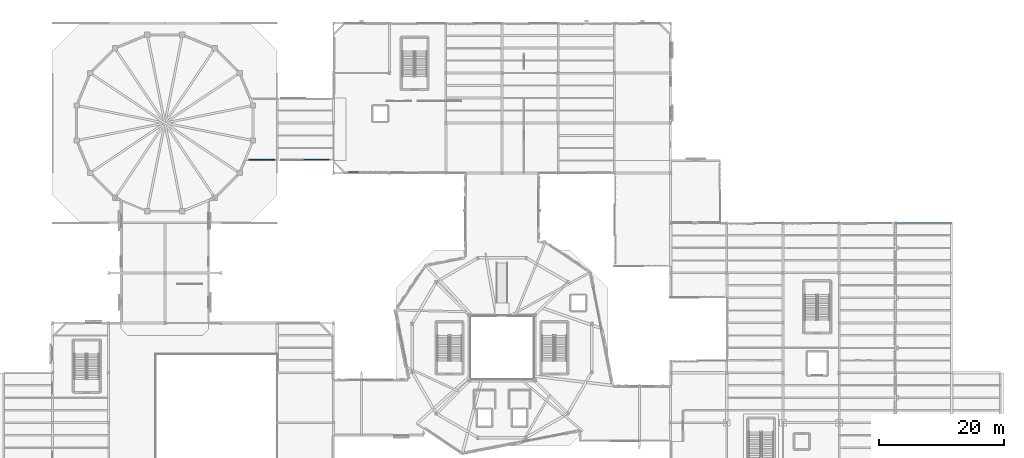
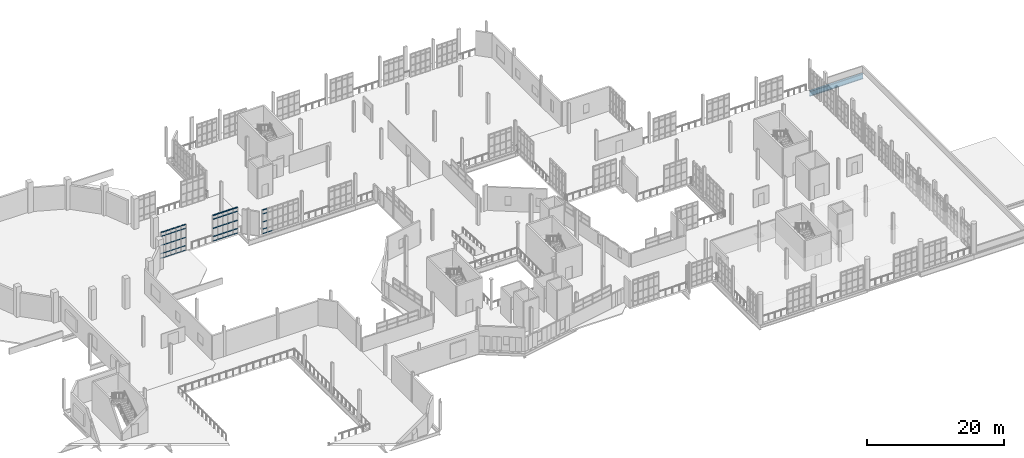
# One storey, part 86 of 142: 56 members, 1 beam, 3 elements without a shape of their own.
"""IFC4 building model written with IfcOpenShell, lengths in metres."""

from ifc_helpers import new_model, si_unit, direction, frame, origin, origin_2d, place, context, subcontext, project, spatial, hollow_rectangle, i_section, extrude, material, layer, layer_set, material_profile, profile_set, type_object, element, aggregate, save


model = new_model("IFC4")

# Units and contexts
model_context = context("Model", 3, precision=1e-05, world=origin(), true_north=direction((0.0, 1.0)))
body_context = subcontext(model_context, "Body", "Model", "MODEL_VIEW")
ifc_project = project(units=[si_unit("LENGTHUNIT", "METRE"), si_unit("AREAUNIT", "SQUARE_METRE"), si_unit("VOLUMEUNIT", "CUBIC_METRE"), si_unit("PLANEANGLEUNIT", "RADIAN"), si_unit("MASSUNIT", "GRAM", prefix="KILO"), si_unit("THERMODYNAMICTEMPERATUREUNIT", "KELVIN"), si_unit("POWERUNIT", "WATT")], contexts=[model_context])

# Site, building, storey
site_placement = place(None, origin())
site = spatial("IfcSite", under=ifc_project, at=site_placement, CompositionType="ELEMENT")
building_placement = place(site_placement, origin())
building = spatial("IfcBuilding", under=site, at=building_placement, Name="Zelmaris Science Centre", CompositionType="ELEMENT")
storey_placement = place(building_placement, frame((0.0, 0.0, 5.39990234375)))
storey = spatial("IfcBuildingStorey", under=building, at=storey_placement, Name="L01", CompositionType="ELEMENT", Elevation=5.39990234375)

# Curtain wall, members
ifc_material_1 = material(Name="Anodised architectural aluminium 6063-T6", Category="aluminium")
ifc_layer_1 = layer(ifc_material_1, 0.219970703125, Name="Anodised architectural aluminium 6063-T6")
ifc_layer_set_1 = layer_set([ifc_layer_1], Name="Anodised architectural aluminium 6063-T6")
curtain_wall_type_1 = type_object("IfcCurtainWallType", Name="Curtain Wall CW-04", PredefinedType="USERDEFINED", material=ifc_layer_set_1)
curtain_wall_1_placement = place(storey_placement, origin())
curtain_wall_1 = element("IfcCurtainWall", 1, at=curtain_wall_1_placement, inside=storey, type_object=curtain_wall_type_1, Name="L01 Unitised curtain wall 200", ObjectType="GLAZED CURTAIN WALL", PredefinedType="USERDEFINED")
ifc_material_profile_1 = material_profile(ifc_material_1, hollow_rectangle(XDim=0.06005859375, YDim=0.110107421875, WallThickness=0.0029296875, at=origin_2d()), Name="ALU-TRN-60X110")
ifc_profile_set_1 = profile_set([ifc_material_profile_1], Name="Anodised architectural aluminium 6063-T6")
member_type_1 = type_object("IfcMemberType", Name="ALU-TRN-60X110", PredefinedType="USERDEFINED", material=ifc_profile_set_1)
member_1_placement = place(storey_placement, frame((44.587158203125, 66.11962890625, 0.010986328125), z_axis=(-1.0, 0.0, 0.0), x_axis=(0.0, 0.0, 1.0)))
member_1 = element("IfcMember", 2, at=member_1_placement, type_object=member_type_1, Name="CW-04 transom 1.1", ObjectType="TRANSOM", PredefinedType="USERDEFINED", context=body_context, shape_type="SweptSolid", body=[
    extrude(hollow_rectangle(XDim=0.06005859375, YDim=0.110107421875, WallThickness=0.0029296875, at=origin_2d()), origin(), (0.0, 0.0, 1.0), 0.774658203125),
])
member_2_placement = place(storey_placement, frame((44.587158203125, 66.11962890625, 0.835205078125), z_axis=(-1.0, 0.0, 0.0), x_axis=(0.0, 0.0, 1.0)))
member_2 = element("IfcMember", 3, at=member_2_placement, type_object=member_type_1, Name="CW-04 transom 1.2", ObjectType="TRANSOM", PredefinedType="USERDEFINED", context=body_context, shape_type="SweptSolid", body=[
    extrude(hollow_rectangle(XDim=0.06005859375, YDim=0.110107421875, WallThickness=0.0029296875, at=origin_2d()), origin(), (0.0, 0.0, 1.0), 0.774658203125),
])
member_3_placement = place(storey_placement, frame((44.587158203125, 66.11962890625, 2.302490234375), z_axis=(-1.0, 0.0, 0.0), x_axis=(0.0, 0.0, 1.0)))
member_3 = element("IfcMember", 4, at=member_3_placement, type_object=member_type_1, Name="CW-04 transom 1.3", ObjectType="TRANSOM", PredefinedType="USERDEFINED", context=body_context, shape_type="SweptSolid", body=[
    extrude(hollow_rectangle(XDim=0.06005859375, YDim=0.110107421875, WallThickness=0.0029296875, at=origin_2d()), origin(), (0.0, 0.0, 1.0), 0.774658203125),
])
member_4_placement = place(storey_placement, frame((44.587158203125, 66.11962890625, 3.920166015625), z_axis=(-1.0, 0.0, 0.0), x_axis=(0.0, 0.0, 1.0)))
member_4 = element("IfcMember", 5, at=member_4_placement, type_object=member_type_1, Name="CW-04 transom 1.4", ObjectType="TRANSOM", PredefinedType="USERDEFINED", context=body_context, shape_type="SweptSolid", body=[
    extrude(hollow_rectangle(XDim=0.06005859375, YDim=0.110107421875, WallThickness=0.0029296875, at=origin_2d()), origin(), (0.0, 0.0, 1.0), 0.774658203125),
])
member_5_placement = place(storey_placement, frame((44.587158203125, 66.11962890625, 4.593994140625), z_axis=(-1.0, 0.0, 0.0), x_axis=(0.0, 0.0, 1.0)))
member_5 = element("IfcMember", 6, at=member_5_placement, type_object=member_type_1, Name="CW-04 transom 1.5", ObjectType="TRANSOM", PredefinedType="USERDEFINED", context=body_context, shape_type="SweptSolid", body=[
    extrude(hollow_rectangle(XDim=0.06005859375, YDim=0.110107421875, WallThickness=0.0029296875, at=origin_2d()), origin(), (0.0, 0.0, 1.0), 0.774658203125),
])
member_6_placement = place(storey_placement, frame((43.760498046875, 66.11962890625, 0.010986328125), z_axis=(-1.0, 0.0, 0.0), x_axis=(0.0, 0.0, 1.0)))
member_6 = element("IfcMember", 7, at=member_6_placement, type_object=member_type_1, Name="CW-04 transom 2.1", ObjectType="TRANSOM", PredefinedType="USERDEFINED", context=body_context, shape_type="SweptSolid", body=[
    extrude(hollow_rectangle(XDim=0.06005859375, YDim=0.110107421875, WallThickness=0.0029296875, at=origin_2d()), origin(), (0.0, 0.0, 1.0), 0.800537109375),
])
member_7_placement = place(storey_placement, frame((43.760498046875, 66.11962890625, 0.835205078125), z_axis=(-1.0, 0.0, 0.0), x_axis=(0.0, 0.0, 1.0)))
member_7 = element("IfcMember", 8, at=member_7_placement, type_object=member_type_1, Name="CW-04 transom 2.2", ObjectType="TRANSOM", PredefinedType="USERDEFINED", context=body_context, shape_type="SweptSolid", body=[
    extrude(hollow_rectangle(XDim=0.06005859375, YDim=0.110107421875, WallThickness=0.0029296875, at=origin_2d()), origin(), (0.0, 0.0, 1.0), 0.800537109375),
])
member_8_placement = place(storey_placement, frame((43.760498046875, 66.11962890625, 2.302490234375), z_axis=(-1.0, 0.0, 0.0), x_axis=(0.0, 0.0, 1.0)))
member_8 = element("IfcMember", 9, at=member_8_placement, type_object=member_type_1, Name="CW-04 transom 2.3", ObjectType="TRANSOM", PredefinedType="USERDEFINED", context=body_context, shape_type="SweptSolid", body=[
    extrude(hollow_rectangle(XDim=0.06005859375, YDim=0.110107421875, WallThickness=0.0029296875, at=origin_2d()), origin(), (0.0, 0.0, 1.0), 0.800537109375),
])
member_9_placement = place(storey_placement, frame((43.760498046875, 66.11962890625, 3.920166015625), z_axis=(-1.0, 0.0, 0.0), x_axis=(0.0, 0.0, 1.0)))
member_9 = element("IfcMember", 10, at=member_9_placement, type_object=member_type_1, Name="CW-04 transom 2.4", ObjectType="TRANSOM", PredefinedType="USERDEFINED", context=body_context, shape_type="SweptSolid", body=[
    extrude(hollow_rectangle(XDim=0.06005859375, YDim=0.110107421875, WallThickness=0.0029296875, at=origin_2d()), origin(), (0.0, 0.0, 1.0), 0.800537109375),
])
member_10_placement = place(storey_placement, frame((43.760498046875, 66.11962890625, 4.593994140625), z_axis=(-1.0, 0.0, 0.0), x_axis=(0.0, 0.0, 1.0)))
member_10 = element("IfcMember", 11, at=member_10_placement, type_object=member_type_1, Name="CW-04 transom 2.5", ObjectType="TRANSOM", PredefinedType="USERDEFINED", context=body_context, shape_type="SweptSolid", body=[
    extrude(hollow_rectangle(XDim=0.06005859375, YDim=0.110107421875, WallThickness=0.0029296875, at=origin_2d()), origin(), (0.0, 0.0, 1.0), 0.800537109375),
])
member_11_placement = place(storey_placement, frame((42.907958984375, 66.11962890625, 0.010986328125), z_axis=(-1.0, 0.0, 0.0), x_axis=(0.0, 0.0, 1.0)))
member_11 = element("IfcMember", 12, at=member_11_placement, type_object=member_type_1, Name="CW-04 transom 3.1", ObjectType="TRANSOM", PredefinedType="USERDEFINED", context=body_context, shape_type="SweptSolid", body=[
    extrude(hollow_rectangle(XDim=0.06005859375, YDim=0.110107421875, WallThickness=0.0029296875, at=origin_2d()), origin(), (0.0, 0.0, 1.0), 0.80078125),
])
member_12_placement = place(storey_placement, frame((42.907958984375, 66.11962890625, 0.835205078125), z_axis=(-1.0, 0.0, 0.0), x_axis=(0.0, 0.0, 1.0)))
member_12 = element("IfcMember", 13, at=member_12_placement, type_object=member_type_1, Name="CW-04 transom 3.2", ObjectType="TRANSOM", PredefinedType="USERDEFINED", context=body_context, shape_type="SweptSolid", body=[
    extrude(hollow_rectangle(XDim=0.06005859375, YDim=0.110107421875, WallThickness=0.0029296875, at=origin_2d()), origin(), (0.0, 0.0, 1.0), 0.80078125),
])
member_13_placement = place(storey_placement, frame((42.907958984375, 66.11962890625, 2.302490234375), z_axis=(-1.0, 0.0, 0.0), x_axis=(0.0, 0.0, 1.0)))
member_13 = element("IfcMember", 14, at=member_13_placement, type_object=member_type_1, Name="CW-04 transom 3.3", ObjectType="TRANSOM", PredefinedType="USERDEFINED", context=body_context, shape_type="SweptSolid", body=[
    extrude(hollow_rectangle(XDim=0.06005859375, YDim=0.110107421875, WallThickness=0.0029296875, at=origin_2d()), origin(), (0.0, 0.0, 1.0), 0.80078125),
])
member_14_placement = place(storey_placement, frame((42.907958984375, 66.11962890625, 3.920166015625), z_axis=(-1.0, 0.0, 0.0), x_axis=(0.0, 0.0, 1.0)))
member_14 = element("IfcMember", 15, at=member_14_placement, type_object=member_type_1, Name="CW-04 transom 3.4", ObjectType="TRANSOM", PredefinedType="USERDEFINED", context=body_context, shape_type="SweptSolid", body=[
    extrude(hollow_rectangle(XDim=0.06005859375, YDim=0.110107421875, WallThickness=0.0029296875, at=origin_2d()), origin(), (0.0, 0.0, 1.0), 0.80078125),
])
member_15_placement = place(storey_placement, frame((42.907958984375, 66.11962890625, 4.593994140625), z_axis=(-1.0, 0.0, 0.0), x_axis=(0.0, 0.0, 1.0)))
member_15 = element("IfcMember", 16, at=member_15_placement, type_object=member_type_1, Name="CW-04 transom 3.5", ObjectType="TRANSOM", PredefinedType="USERDEFINED", context=body_context, shape_type="SweptSolid", body=[
    extrude(hollow_rectangle(XDim=0.06005859375, YDim=0.110107421875, WallThickness=0.0029296875, at=origin_2d()), origin(), (0.0, 0.0, 1.0), 0.80078125),
])
member_16_placement = place(storey_placement, frame((42.05517578125, 66.11962890625, 0.010986328125), z_axis=(-1.0, 0.0, 0.0), x_axis=(0.0, 0.0, 1.0)))
member_16 = element("IfcMember", 17, at=member_16_placement, type_object=member_type_1, Name="CW-04 transom 4.1", ObjectType="TRANSOM", PredefinedType="USERDEFINED", context=body_context, shape_type="SweptSolid", body=[
    extrude(hollow_rectangle(XDim=0.06005859375, YDim=0.110107421875, WallThickness=0.0029296875, at=origin_2d()), origin(), (0.0, 0.0, 1.0), 0.800537109375),
])
member_17_placement = place(storey_placement, frame((42.05517578125, 66.11962890625, 0.835205078125), z_axis=(-1.0, 0.0, 0.0), x_axis=(0.0, 0.0, 1.0)))
member_17 = element("IfcMember", 18, at=member_17_placement, type_object=member_type_1, Name="CW-04 transom 4.2", ObjectType="TRANSOM", PredefinedType="USERDEFINED", context=body_context, shape_type="SweptSolid", body=[
    extrude(hollow_rectangle(XDim=0.06005859375, YDim=0.110107421875, WallThickness=0.0029296875, at=origin_2d()), origin(), (0.0, 0.0, 1.0), 0.800537109375),
])
member_18_placement = place(storey_placement, frame((42.05517578125, 66.11962890625, 2.302490234375), z_axis=(-1.0, 0.0, 0.0), x_axis=(0.0, 0.0, 1.0)))
member_18 = element("IfcMember", 19, at=member_18_placement, type_object=member_type_1, Name="CW-04 transom 4.3", ObjectType="TRANSOM", PredefinedType="USERDEFINED", context=body_context, shape_type="SweptSolid", body=[
    extrude(hollow_rectangle(XDim=0.06005859375, YDim=0.110107421875, WallThickness=0.0029296875, at=origin_2d()), origin(), (0.0, 0.0, 1.0), 0.800537109375),
])
member_19_placement = place(storey_placement, frame((42.05517578125, 66.11962890625, 3.920166015625), z_axis=(-1.0, 0.0, 0.0), x_axis=(0.0, 0.0, 1.0)))
member_19 = element("IfcMember", 20, at=member_19_placement, type_object=member_type_1, Name="CW-04 transom 4.4", ObjectType="TRANSOM", PredefinedType="USERDEFINED", context=body_context, shape_type="SweptSolid", body=[
    extrude(hollow_rectangle(XDim=0.06005859375, YDim=0.110107421875, WallThickness=0.0029296875, at=origin_2d()), origin(), (0.0, 0.0, 1.0), 0.800537109375),
])
member_20_placement = place(storey_placement, frame((42.05517578125, 66.11962890625, 4.593994140625), z_axis=(-1.0, 0.0, 0.0), x_axis=(0.0, 0.0, 1.0)))
member_20 = element("IfcMember", 21, at=member_20_placement, type_object=member_type_1, Name="CW-04 transom 4.5", ObjectType="TRANSOM", PredefinedType="USERDEFINED", context=body_context, shape_type="SweptSolid", body=[
    extrude(hollow_rectangle(XDim=0.06005859375, YDim=0.110107421875, WallThickness=0.0029296875, at=origin_2d()), origin(), (0.0, 0.0, 1.0), 0.800537109375),
])
member_21_placement = place(storey_placement, frame((41.20263671875, 66.11962890625, 0.010986328125), z_axis=(-1.0, 0.0, 0.0), x_axis=(0.0, 0.0, 1.0)))
member_21 = element("IfcMember", 22, at=member_21_placement, type_object=member_type_1, Name="CW-04 transom 5.1", ObjectType="TRANSOM", PredefinedType="USERDEFINED", context=body_context, shape_type="SweptSolid", body=[
    extrude(hollow_rectangle(XDim=0.06005859375, YDim=0.110107421875, WallThickness=0.0029296875, at=origin_2d()), origin(), (0.0, 0.0, 1.0), 0.774658203125),
])
member_22_placement = place(storey_placement, frame((41.20263671875, 66.11962890625, 0.835205078125), z_axis=(-1.0, 0.0, 0.0), x_axis=(0.0, 0.0, 1.0)))
member_22 = element("IfcMember", 23, at=member_22_placement, type_object=member_type_1, Name="CW-04 transom 5.2", ObjectType="TRANSOM", PredefinedType="USERDEFINED", context=body_context, shape_type="SweptSolid", body=[
    extrude(hollow_rectangle(XDim=0.06005859375, YDim=0.110107421875, WallThickness=0.0029296875, at=origin_2d()), origin(), (0.0, 0.0, 1.0), 0.774658203125),
])
member_23_placement = place(storey_placement, frame((41.20263671875, 66.11962890625, 2.302490234375), z_axis=(-1.0, 0.0, 0.0), x_axis=(0.0, 0.0, 1.0)))
member_23 = element("IfcMember", 24, at=member_23_placement, type_object=member_type_1, Name="CW-04 transom 5.3", ObjectType="TRANSOM", PredefinedType="USERDEFINED", context=body_context, shape_type="SweptSolid", body=[
    extrude(hollow_rectangle(XDim=0.06005859375, YDim=0.110107421875, WallThickness=0.0029296875, at=origin_2d()), origin(), (0.0, 0.0, 1.0), 0.774658203125),
])
member_24_placement = place(storey_placement, frame((41.20263671875, 66.11962890625, 3.920166015625), z_axis=(-1.0, 0.0, 0.0), x_axis=(0.0, 0.0, 1.0)))
member_24 = element("IfcMember", 25, at=member_24_placement, type_object=member_type_1, Name="CW-04 transom 5.4", ObjectType="TRANSOM", PredefinedType="USERDEFINED", context=body_context, shape_type="SweptSolid", body=[
    extrude(hollow_rectangle(XDim=0.06005859375, YDim=0.110107421875, WallThickness=0.0029296875, at=origin_2d()), origin(), (0.0, 0.0, 1.0), 0.774658203125),
])
member_25_placement = place(storey_placement, frame((41.20263671875, 66.11962890625, 4.593994140625), z_axis=(-1.0, 0.0, 0.0), x_axis=(0.0, 0.0, 1.0)))
member_25 = element("IfcMember", 26, at=member_25_placement, type_object=member_type_1, Name="CW-04 transom 5.5", ObjectType="TRANSOM", PredefinedType="USERDEFINED", context=body_context, shape_type="SweptSolid", body=[
    extrude(hollow_rectangle(XDim=0.06005859375, YDim=0.110107421875, WallThickness=0.0029296875, at=origin_2d()), origin(), (0.0, 0.0, 1.0), 0.774658203125),
])
aggregate(curtain_wall_1, [member_1, member_2, member_3, member_4, member_5, member_6, member_7, member_8, member_9, member_10, member_11, member_12, member_13, member_14, member_15, member_16, member_17, member_18, member_19, member_20, member_21, member_22, member_23, member_24, member_25])

ifc_layer_2 = layer(ifc_material_1, 0.199951171875, Name="Anodised architectural aluminium 6063-T6")
ifc_layer_set_2 = layer_set([ifc_layer_2], Name="Anodised architectural aluminium 6063-T6")
curtain_wall_type_2 = type_object("IfcCurtainWallType", Name="Curtain Wall CW-02", PredefinedType="USERDEFINED", material=ifc_layer_set_2)
curtain_wall_2_placement = place(storey_placement, origin())
curtain_wall_2 = element("IfcCurtainWall", 27, at=curtain_wall_2_placement, inside=storey, type_object=curtain_wall_type_2, Name="L01 Unitised curtain wall 198", ObjectType="GLAZED CURTAIN WALL", PredefinedType="USERDEFINED")
ifc_material_profile_2 = material_profile(ifc_material_1, hollow_rectangle(XDim=0.074951171875, YDim=0.159912109375, WallThickness=0.00390625, at=origin_2d()), Name="ALU-TRN-75X160")
ifc_profile_set_2 = profile_set([ifc_material_profile_2], Name="Anodised architectural aluminium 6063-T6")
member_type_2 = type_object("IfcMemberType", Name="ALU-TRN-75X160", PredefinedType="USERDEFINED", material=ifc_profile_set_2)
member_26_placement = place(storey_placement, frame((53.3388671875, 66.11962890625, 0.0185546875), z_axis=(-1.0, 0.0, 0.0), x_axis=(0.0, 0.0, 1.0)))
member_26 = element("IfcMember", 28, at=member_26_placement, type_object=member_type_2, Name="CW-02 transom 1.1", ObjectType="TRANSOM", PredefinedType="USERDEFINED", context=body_context, shape_type="SweptSolid", body=[
    extrude(hollow_rectangle(XDim=0.074951171875, YDim=0.159912109375, WallThickness=0.00390625, at=origin_2d()), origin(), (0.0, 0.0, 1.0), 0.752197265625),
])
member_27_placement = place(storey_placement, frame((53.3388671875, 66.11962890625, 0.835205078125), z_axis=(-1.0, 0.0, 0.0), x_axis=(0.0, 0.0, 1.0)))
member_27 = element("IfcMember", 29, at=member_27_placement, type_object=member_type_2, Name="CW-02 transom 1.2", ObjectType="TRANSOM", PredefinedType="USERDEFINED", context=body_context, shape_type="SweptSolid", body=[
    extrude(hollow_rectangle(XDim=0.074951171875, YDim=0.159912109375, WallThickness=0.00390625, at=origin_2d()), origin(), (0.0, 0.0, 1.0), 0.752197265625),
])
member_28_placement = place(storey_placement, frame((53.3388671875, 66.11962890625, 2.302490234375), z_axis=(-1.0, 0.0, 0.0), x_axis=(0.0, 0.0, 1.0)))
member_28 = element("IfcMember", 30, at=member_28_placement, type_object=member_type_2, Name="CW-02 transom 1.3", ObjectType="TRANSOM", PredefinedType="USERDEFINED", context=body_context, shape_type="SweptSolid", body=[
    extrude(hollow_rectangle(XDim=0.074951171875, YDim=0.159912109375, WallThickness=0.00390625, at=origin_2d()), origin(), (0.0, 0.0, 1.0), 0.752197265625),
])
member_29_placement = place(storey_placement, frame((53.3388671875, 66.11962890625, 3.920166015625), z_axis=(-1.0, 0.0, 0.0), x_axis=(0.0, 0.0, 1.0)))
member_29 = element("IfcMember", 31, at=member_29_placement, type_object=member_type_2, Name="CW-02 transom 1.4", ObjectType="TRANSOM", PredefinedType="USERDEFINED", context=body_context, shape_type="SweptSolid", body=[
    extrude(hollow_rectangle(XDim=0.074951171875, YDim=0.159912109375, WallThickness=0.00390625, at=origin_2d()), origin(), (0.0, 0.0, 1.0), 0.752197265625),
])
member_30_placement = place(storey_placement, frame((53.3388671875, 66.11962890625, 4.586669921875), z_axis=(-1.0, 0.0, 0.0), x_axis=(0.0, 0.0, 1.0)))
member_30 = element("IfcMember", 32, at=member_30_placement, type_object=member_type_2, Name="CW-02 transom 1.5", ObjectType="TRANSOM", PredefinedType="USERDEFINED", context=body_context, shape_type="SweptSolid", body=[
    extrude(hollow_rectangle(XDim=0.074951171875, YDim=0.159912109375, WallThickness=0.00390625, at=origin_2d()), origin(), (0.0, 0.0, 1.0), 0.752197265625),
])
member_31_placement = place(storey_placement, frame((52.519775390625, 66.11962890625, 0.0185546875), z_axis=(-1.0, 0.0, 0.0), x_axis=(0.0, 0.0, 1.0)))
member_31 = element("IfcMember", 33, at=member_31_placement, type_object=member_type_2, Name="CW-02 transom 2.1", ObjectType="TRANSOM", PredefinedType="USERDEFINED", context=body_context, shape_type="SweptSolid", body=[
    extrude(hollow_rectangle(XDim=0.074951171875, YDim=0.159912109375, WallThickness=0.00390625, at=origin_2d()), origin(), (0.0, 0.0, 1.0), 0.78564453125),
])
member_32_placement = place(storey_placement, frame((52.519775390625, 66.11962890625, 0.835205078125), z_axis=(-1.0, 0.0, 0.0), x_axis=(0.0, 0.0, 1.0)))
member_32 = element("IfcMember", 34, at=member_32_placement, type_object=member_type_2, Name="CW-02 transom 2.2", ObjectType="TRANSOM", PredefinedType="USERDEFINED", context=body_context, shape_type="SweptSolid", body=[
    extrude(hollow_rectangle(XDim=0.074951171875, YDim=0.159912109375, WallThickness=0.00390625, at=origin_2d()), origin(), (0.0, 0.0, 1.0), 0.78564453125),
])
member_33_placement = place(storey_placement, frame((52.519775390625, 66.11962890625, 2.302490234375), z_axis=(-1.0, 0.0, 0.0), x_axis=(0.0, 0.0, 1.0)))
member_33 = element("IfcMember", 35, at=member_33_placement, type_object=member_type_2, Name="CW-02 transom 2.3", ObjectType="TRANSOM", PredefinedType="USERDEFINED", context=body_context, shape_type="SweptSolid", body=[
    extrude(hollow_rectangle(XDim=0.074951171875, YDim=0.159912109375, WallThickness=0.00390625, at=origin_2d()), origin(), (0.0, 0.0, 1.0), 0.78564453125),
])
member_34_placement = place(storey_placement, frame((52.519775390625, 66.11962890625, 3.920166015625), z_axis=(-1.0, 0.0, 0.0), x_axis=(0.0, 0.0, 1.0)))
member_34 = element("IfcMember", 36, at=member_34_placement, type_object=member_type_2, Name="CW-02 transom 2.4", ObjectType="TRANSOM", PredefinedType="USERDEFINED", context=body_context, shape_type="SweptSolid", body=[
    extrude(hollow_rectangle(XDim=0.074951171875, YDim=0.159912109375, WallThickness=0.00390625, at=origin_2d()), origin(), (0.0, 0.0, 1.0), 0.78564453125),
])
member_35_placement = place(storey_placement, frame((52.519775390625, 66.11962890625, 4.586669921875), z_axis=(-1.0, 0.0, 0.0), x_axis=(0.0, 0.0, 1.0)))
member_35 = element("IfcMember", 37, at=member_35_placement, type_object=member_type_2, Name="CW-02 transom 2.5", ObjectType="TRANSOM", PredefinedType="USERDEFINED", context=body_context, shape_type="SweptSolid", body=[
    extrude(hollow_rectangle(XDim=0.074951171875, YDim=0.159912109375, WallThickness=0.00390625, at=origin_2d()), origin(), (0.0, 0.0, 1.0), 0.78564453125),
])
member_36_placement = place(storey_placement, frame((51.6669921875, 66.11962890625, 0.0185546875), z_axis=(-1.0, 0.0, 0.0), x_axis=(0.0, 0.0, 1.0)))
member_36 = element("IfcMember", 38, at=member_36_placement, type_object=member_type_2, Name="CW-02 transom 3.1", ObjectType="TRANSOM", PredefinedType="USERDEFINED", context=body_context, shape_type="SweptSolid", body=[
    extrude(hollow_rectangle(XDim=0.074951171875, YDim=0.159912109375, WallThickness=0.00390625, at=origin_2d()), origin(), (0.0, 0.0, 1.0), 0.78564453125),
])
member_37_placement = place(storey_placement, frame((51.6669921875, 66.11962890625, 0.835205078125), z_axis=(-1.0, 0.0, 0.0), x_axis=(0.0, 0.0, 1.0)))
member_37 = element("IfcMember", 39, at=member_37_placement, type_object=member_type_2, Name="CW-02 transom 3.2", ObjectType="TRANSOM", PredefinedType="USERDEFINED", context=body_context, shape_type="SweptSolid", body=[
    extrude(hollow_rectangle(XDim=0.074951171875, YDim=0.159912109375, WallThickness=0.00390625, at=origin_2d()), origin(), (0.0, 0.0, 1.0), 0.78564453125),
])
member_38_placement = place(storey_placement, frame((51.6669921875, 66.11962890625, 2.302490234375), z_axis=(-1.0, 0.0, 0.0), x_axis=(0.0, 0.0, 1.0)))
member_38 = element("IfcMember", 40, at=member_38_placement, type_object=member_type_2, Name="CW-02 transom 3.3", ObjectType="TRANSOM", PredefinedType="USERDEFINED", context=body_context, shape_type="SweptSolid", body=[
    extrude(hollow_rectangle(XDim=0.074951171875, YDim=0.159912109375, WallThickness=0.00390625, at=origin_2d()), origin(), (0.0, 0.0, 1.0), 0.78564453125),
])
member_39_placement = place(storey_placement, frame((51.6669921875, 66.11962890625, 3.920166015625), z_axis=(-1.0, 0.0, 0.0), x_axis=(0.0, 0.0, 1.0)))
member_39 = element("IfcMember", 41, at=member_39_placement, type_object=member_type_2, Name="CW-02 transom 3.4", ObjectType="TRANSOM", PredefinedType="USERDEFINED", context=body_context, shape_type="SweptSolid", body=[
    extrude(hollow_rectangle(XDim=0.074951171875, YDim=0.159912109375, WallThickness=0.00390625, at=origin_2d()), origin(), (0.0, 0.0, 1.0), 0.78564453125),
])
member_40_placement = place(storey_placement, frame((51.6669921875, 66.11962890625, 4.586669921875), z_axis=(-1.0, 0.0, 0.0), x_axis=(0.0, 0.0, 1.0)))
member_40 = element("IfcMember", 42, at=member_40_placement, type_object=member_type_2, Name="CW-02 transom 3.5", ObjectType="TRANSOM", PredefinedType="USERDEFINED", context=body_context, shape_type="SweptSolid", body=[
    extrude(hollow_rectangle(XDim=0.074951171875, YDim=0.159912109375, WallThickness=0.00390625, at=origin_2d()), origin(), (0.0, 0.0, 1.0), 0.78564453125),
])
member_41_placement = place(storey_placement, frame((50.814453125, 66.11962890625, 0.0185546875), z_axis=(-1.0, 0.0, 0.0), x_axis=(0.0, 0.0, 1.0)))
member_41 = element("IfcMember", 43, at=member_41_placement, type_object=member_type_2, Name="CW-02 transom 4.1", ObjectType="TRANSOM", PredefinedType="USERDEFINED", context=body_context, shape_type="SweptSolid", body=[
    extrude(hollow_rectangle(XDim=0.074951171875, YDim=0.159912109375, WallThickness=0.00390625, at=origin_2d()), origin(), (0.0, 0.0, 1.0), 0.78564453125),
])
member_42_placement = place(storey_placement, frame((50.814453125, 66.11962890625, 0.835205078125), z_axis=(-1.0, 0.0, 0.0), x_axis=(0.0, 0.0, 1.0)))
member_42 = element("IfcMember", 44, at=member_42_placement, type_object=member_type_2, Name="CW-02 transom 4.2", ObjectType="TRANSOM", PredefinedType="USERDEFINED", context=body_context, shape_type="SweptSolid", body=[
    extrude(hollow_rectangle(XDim=0.074951171875, YDim=0.159912109375, WallThickness=0.00390625, at=origin_2d()), origin(), (0.0, 0.0, 1.0), 0.78564453125),
])
member_43_placement = place(storey_placement, frame((50.814453125, 66.11962890625, 2.302490234375), z_axis=(-1.0, 0.0, 0.0), x_axis=(0.0, 0.0, 1.0)))
member_43 = element("IfcMember", 45, at=member_43_placement, type_object=member_type_2, Name="CW-02 transom 4.3", ObjectType="TRANSOM", PredefinedType="USERDEFINED", context=body_context, shape_type="SweptSolid", body=[
    extrude(hollow_rectangle(XDim=0.074951171875, YDim=0.159912109375, WallThickness=0.00390625, at=origin_2d()), origin(), (0.0, 0.0, 1.0), 0.78564453125),
])
member_44_placement = place(storey_placement, frame((50.814453125, 66.11962890625, 3.920166015625), z_axis=(-1.0, 0.0, 0.0), x_axis=(0.0, 0.0, 1.0)))
member_44 = element("IfcMember", 46, at=member_44_placement, type_object=member_type_2, Name="CW-02 transom 4.4", ObjectType="TRANSOM", PredefinedType="USERDEFINED", context=body_context, shape_type="SweptSolid", body=[
    extrude(hollow_rectangle(XDim=0.074951171875, YDim=0.159912109375, WallThickness=0.00390625, at=origin_2d()), origin(), (0.0, 0.0, 1.0), 0.78564453125),
])
member_45_placement = place(storey_placement, frame((50.814453125, 66.11962890625, 4.586669921875), z_axis=(-1.0, 0.0, 0.0), x_axis=(0.0, 0.0, 1.0)))
member_45 = element("IfcMember", 47, at=member_45_placement, type_object=member_type_2, Name="CW-02 transom 4.5", ObjectType="TRANSOM", PredefinedType="USERDEFINED", context=body_context, shape_type="SweptSolid", body=[
    extrude(hollow_rectangle(XDim=0.074951171875, YDim=0.159912109375, WallThickness=0.00390625, at=origin_2d()), origin(), (0.0, 0.0, 1.0), 0.78564453125),
])
member_46_placement = place(storey_placement, frame((49.961669921875, 66.11962890625, 0.0185546875), z_axis=(-1.0, 0.0, 0.0), x_axis=(0.0, 0.0, 1.0)))
member_46 = element("IfcMember", 48, at=member_46_placement, type_object=member_type_2, Name="CW-02 transom 5.1", ObjectType="TRANSOM", PredefinedType="USERDEFINED", context=body_context, shape_type="SweptSolid", body=[
    extrude(hollow_rectangle(XDim=0.074951171875, YDim=0.159912109375, WallThickness=0.00390625, at=origin_2d()), origin(), (0.0, 0.0, 1.0), 0.751953125),
])
member_47_placement = place(storey_placement, frame((49.961669921875, 66.11962890625, 0.835205078125), z_axis=(-1.0, 0.0, 0.0), x_axis=(0.0, 0.0, 1.0)))
member_47 = element("IfcMember", 49, at=member_47_placement, type_object=member_type_2, Name="CW-02 transom 5.2", ObjectType="TRANSOM", PredefinedType="USERDEFINED", context=body_context, shape_type="SweptSolid", body=[
    extrude(hollow_rectangle(XDim=0.074951171875, YDim=0.159912109375, WallThickness=0.00390625, at=origin_2d()), origin(), (0.0, 0.0, 1.0), 0.751953125),
])
member_48_placement = place(storey_placement, frame((49.961669921875, 66.11962890625, 2.302490234375), z_axis=(-1.0, 0.0, 0.0), x_axis=(0.0, 0.0, 1.0)))
member_48 = element("IfcMember", 50, at=member_48_placement, type_object=member_type_2, Name="CW-02 transom 5.3", ObjectType="TRANSOM", PredefinedType="USERDEFINED", context=body_context, shape_type="SweptSolid", body=[
    extrude(hollow_rectangle(XDim=0.074951171875, YDim=0.159912109375, WallThickness=0.00390625, at=origin_2d()), origin(), (0.0, 0.0, 1.0), 0.751953125),
])
member_49_placement = place(storey_placement, frame((49.961669921875, 66.11962890625, 3.920166015625), z_axis=(-1.0, 0.0, 0.0), x_axis=(0.0, 0.0, 1.0)))
member_49 = element("IfcMember", 51, at=member_49_placement, type_object=member_type_2, Name="CW-02 transom 5.4", ObjectType="TRANSOM", PredefinedType="USERDEFINED", context=body_context, shape_type="SweptSolid", body=[
    extrude(hollow_rectangle(XDim=0.074951171875, YDim=0.159912109375, WallThickness=0.00390625, at=origin_2d()), origin(), (0.0, 0.0, 1.0), 0.751953125),
])
member_50_placement = place(storey_placement, frame((49.961669921875, 66.11962890625, 4.586669921875), z_axis=(-1.0, 0.0, 0.0), x_axis=(0.0, 0.0, 1.0)))
member_50 = element("IfcMember", 52, at=member_50_placement, type_object=member_type_2, Name="CW-02 transom 5.5", ObjectType="TRANSOM", PredefinedType="USERDEFINED", context=body_context, shape_type="SweptSolid", body=[
    extrude(hollow_rectangle(XDim=0.074951171875, YDim=0.159912109375, WallThickness=0.00390625, at=origin_2d()), origin(), (0.0, 0.0, 1.0), 0.751953125),
])
aggregate(curtain_wall_2, [member_26, member_27, member_28, member_29, member_30, member_31, member_32, member_33, member_34, member_35, member_36, member_37, member_38, member_39, member_40, member_41, member_42, member_43, member_44, member_45, member_46, member_47, member_48, member_49, member_50])

ifc_layer_3 = layer(ifc_material_1, 0.18994140625, Name="Anodised architectural aluminium 6063-T6")
ifc_layer_set_3 = layer_set([ifc_layer_3], Name="Anodised architectural aluminium 6063-T6")
curtain_wall_type_3 = type_object("IfcCurtainWallType", Name="Curtain Wall CW-01", PredefinedType="USERDEFINED", material=ifc_layer_set_3)
curtain_wall_3_placement = place(storey_placement, origin())
curtain_wall_3 = element("IfcCurtainWall", 53, at=curtain_wall_3_placement, inside=storey, type_object=curtain_wall_type_3, Name="L01 Unitised curtain wall 197", ObjectType="GLAZED CURTAIN WALL", PredefinedType="USERDEFINED")
ifc_material_profile_3 = material_profile(ifc_material_1, hollow_rectangle(XDim=0.080078125, YDim=0.18994140625, WallThickness=0.00439453125, at=origin_2d()), Name="ALU-TRN-80X190")
ifc_profile_set_3 = profile_set([ifc_material_profile_3], Name="Anodised architectural aluminium 6063-T6")
member_type_3 = type_object("IfcMemberType", Name="ALU-TRN-80X190", PredefinedType="USERDEFINED", material=ifc_profile_set_3)
member_51_placement = place(storey_placement, frame((58.052734375, 64.117919921875, 0.02099609375), z_axis=(-0.999999583249, 0.00091296371, 0.0), x_axis=(0.0, 0.0, 1.0)))
member_51 = element("IfcMember", 54, at=member_51_placement, type_object=member_type_3, Name="CW-01 transom 6.1", ObjectType="TRANSOM", PredefinedType="USERDEFINED", context=body_context, shape_type="SweptSolid", body=[
    extrude(hollow_rectangle(XDim=0.080078125, YDim=0.18994140625, WallThickness=0.00439453125, at=origin_2d()), origin(), (0.0, 0.0, 1.0), 0.80224609375),
])
member_52_placement = place(storey_placement, frame((57.178466796875, 64.118896484375, 0.02099609375), z_axis=(-0.999999543302, 0.000955717945, 0.0), x_axis=(0.0, 0.0, 1.0)))
member_52 = element("IfcMember", 55, at=member_52_placement, type_object=member_type_3, Name="CW-01 transom 7.1", ObjectType="TRANSOM", PredefinedType="USERDEFINED", context=body_context, shape_type="SweptSolid", body=[
    extrude(hollow_rectangle(XDim=0.080078125, YDim=0.18994140625, WallThickness=0.00439453125, at=origin_2d()), origin(), (0.0, 0.0, 1.0), 0.766357421875),
])
member_53_placement = place(storey_placement, frame((57.178466796875, 64.118896484375, 0.835205078125), z_axis=(-0.999999543302, 0.000955717945, 0.0), x_axis=(0.0, 0.0, 1.0)))
member_53 = element("IfcMember", 56, at=member_53_placement, type_object=member_type_3, Name="CW-01 transom 7.2", ObjectType="TRANSOM", PredefinedType="USERDEFINED", context=body_context, shape_type="SweptSolid", body=[
    extrude(hollow_rectangle(XDim=0.080078125, YDim=0.18994140625, WallThickness=0.00439453125, at=origin_2d()), origin(), (0.0, 0.0, 1.0), 0.766357421875),
])
member_54_placement = place(storey_placement, frame((57.178466796875, 64.118896484375, 2.114501953125), z_axis=(-0.999999543302, 0.000955717945, 0.0), x_axis=(0.0, 0.0, 1.0)))
member_54 = element("IfcMember", 57, at=member_54_placement, type_object=member_type_3, Name="CW-01 transom 7.3", ObjectType="TRANSOM", PredefinedType="USERDEFINED", context=body_context, shape_type="SweptSolid", body=[
    extrude(hollow_rectangle(XDim=0.080078125, YDim=0.18994140625, WallThickness=0.00439453125, at=origin_2d()), origin(), (0.0, 0.0, 1.0), 0.766357421875),
])
member_55_placement = place(storey_placement, frame((57.178466796875, 64.118896484375, 3.544189453125), z_axis=(-0.999999543302, 0.000955717945, 0.0), x_axis=(0.0, 0.0, 1.0)))
member_55 = element("IfcMember", 58, at=member_55_placement, type_object=member_type_3, Name="CW-01 transom 7.4", ObjectType="TRANSOM", PredefinedType="USERDEFINED", context=body_context, shape_type="SweptSolid", body=[
    extrude(hollow_rectangle(XDim=0.080078125, YDim=0.18994140625, WallThickness=0.00439453125, at=origin_2d()), origin(), (0.0, 0.0, 1.0), 0.766357421875),
])
member_56_placement = place(storey_placement, frame((57.178466796875, 64.118896484375, 4.2080078125), z_axis=(-0.999999543302, 0.000955717945, 0.0), x_axis=(0.0, 0.0, 1.0)))
member_56 = element("IfcMember", 59, at=member_56_placement, type_object=member_type_3, Name="CW-01 transom 7.5", ObjectType="TRANSOM", PredefinedType="USERDEFINED", context=body_context, shape_type="SweptSolid", body=[
    extrude(hollow_rectangle(XDim=0.080078125, YDim=0.18994140625, WallThickness=0.00439453125, at=origin_2d()), origin(), (0.0, 0.0, 1.0), 0.766357421875),
])
aggregate(curtain_wall_3, [member_51, member_52, member_53, member_54, member_55, member_56])

# Beam
ifc_material_2 = material(Name="Steel ASTM A992 Grade 50", Category="steel")
ifc_material_profile_4 = material_profile(ifc_material_2, i_section(OverallWidth=0.304931640625, OverallDepth=0.9189453125, WebThickness=0.017333984375, FlangeThickness=0.02783203125, FilletRadius=0.02392578125, at=origin_2d()), Name="W36X170")
ifc_profile_set_4 = profile_set([ifc_material_profile_4], Name="Steel ASTM A992 Grade 50")
beam_type = type_object("IfcBeamType", Name="Beam G-26 W36X170", PredefinedType="BEAM", material=ifc_profile_set_4)
beam_placement = place(storey_placement, frame((144.0, 56.0, -0.739501953125), z_axis=(1.0, 0.0, 0.0), x_axis=(0.0, 1.0, 0.0)))
element("IfcBeam", 60, at=beam_placement, inside=storey, type_object=beam_type, Name="L01 East-west girder 387", PredefinedType="BEAM", context=body_context, shape_type="SweptSolid", body=[
    extrude(i_section(OverallWidth=0.304931640625, OverallDepth=0.9189453125, WebThickness=0.017333984375, FlangeThickness=0.02783203125, FilletRadius=0.02392578125, at=origin_2d()), origin(), (0.0, 0.0, 1.0), 9.0),
])

save(model, "model.ifc")
